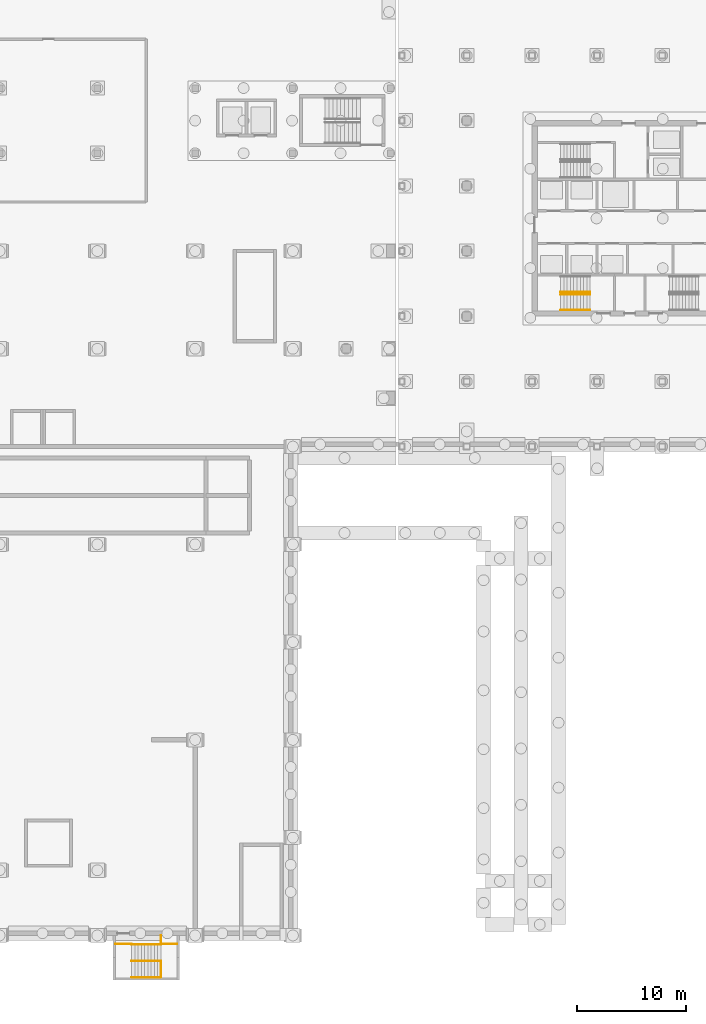
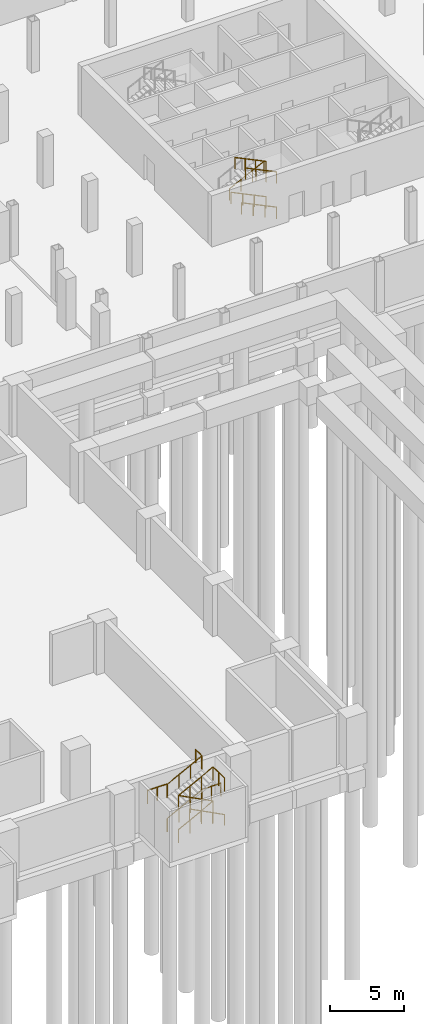
# One storey, part 27 of 29: 15 railings.
"""IFC4 building model written with IfcOpenShell, lengths in metres."""

from ifc_helpers import new_model, si_unit, direction, frame, origin, origin_2d, place, context, subcontext, project, spatial, circle, extrude, material, type_object, element, save


model = new_model("IFC4")

# Units and contexts
model_context = context("Model", 3, precision=1e-05, world=origin(), true_north=direction((0.0, 1.0)))
body_context = subcontext(model_context, "Body", "Model", "MODEL_VIEW")
ifc_project = project(units=[si_unit("LENGTHUNIT", "METRE"), si_unit("AREAUNIT", "SQUARE_METRE"), si_unit("VOLUMEUNIT", "CUBIC_METRE"), si_unit("PLANEANGLEUNIT", "RADIAN"), si_unit("MASSUNIT", "GRAM", prefix="KILO")], contexts=[model_context])

# Site, building, storey
site_placement = place(None, origin())
site = spatial("IfcSite", under=ifc_project, at=site_placement, CompositionType="ELEMENT")
building_placement = place(site_placement, origin())
building = spatial("IfcBuilding", under=site, at=building_placement, Name="Aravalli Gate Trade Fair Centre", CompositionType="ELEMENT")
storey_placement = place(building_placement, frame((0.0, 0.0, -8.39990234375)))
storey = spatial("IfcBuildingStorey", under=building, at=storey_placement, Name="B2", CompositionType="ELEMENT", Elevation=-8.39990234375)

# Railings
ifc_material = material(Name="Steel E350", Category="steel")
railing_type_1 = type_object("IfcRailingType", Name="Basement stair guard 1100", PredefinedType="GUARDRAIL", material=ifc_material)
railing_1_placement = place(storey_placement, frame((135.14990234375, 43.64990234375, 0.0)))
element("IfcRailing", 1, at=railing_1_placement, inside=storey, type_object=railing_type_1, Name="Basement stair S7 guard A B2", PredefinedType="GUARDRAIL", context=body_context, shape_type="SweptSolid", body=[
    extrude(circle(Radius=0.02392578125, at=origin_2d()), frame((0.0, 0.0, 1.076171875), z_axis=(0.887781257544, 0.0, 0.460265617609), x_axis=(0.0, 1.0, 0.0)), (0.0, 0.0, 1.0), 3.04150390625),
    extrude(circle(Radius=0.02099609375, at=origin_2d()), origin(), (0.0, 0.0, 1.0), 1.052001953125),
    extrude(circle(Radius=0.02099609375, at=origin_2d()), frame((0.900146484375, 0.0, 0.466552734375)), (0.0, 0.0, 1.0), 1.052001953125),
    extrude(circle(Radius=0.02099609375, at=origin_2d()), frame((1.800048828125, 0.0, 0.933349609375)), (0.0, 0.0, 1.0), 1.052001953125),
    extrude(circle(Radius=0.02099609375, at=origin_2d()), frame((2.7001953125, 0.0, 1.39990234375)), (0.0, 0.0, 1.0), 1.052001953125),
])
railing_2_placement = place(storey_placement, frame((137.85009765625, 43.64990234375, 1.39990234375)))
element("IfcRailing", 2, at=railing_2_placement, inside=storey, type_object=railing_type_1, Name="Basement stair S7 guard B B2", PredefinedType="GUARDRAIL", context=body_context, shape_type="SweptSolid", body=[
    extrude(circle(Radius=0.02392578125, at=origin_2d()), frame((0.0, 0.0, 1.076171875), z_axis=(-0.887781257544, 0.0, 0.460265617609), x_axis=(0.0, -1.0, 0.0)), (0.0, 0.0, 1.0), 3.04150390625),
    extrude(circle(Radius=0.02099609375, at=origin_2d()), origin(), (0.0, 0.0, 1.0), 1.052001953125),
    extrude(circle(Radius=0.02099609375, at=origin_2d()), frame((-0.900146484375, 0.0, 0.466552734375)), (0.0, 0.0, 1.0), 1.052001953125),
    extrude(circle(Radius=0.02099609375, at=origin_2d()), frame((-1.800048828125, 0.0, 0.933349609375)), (0.0, 0.0, 1.0), 1.052001953125),
    extrude(circle(Radius=0.02099609375, at=origin_2d()), frame((-2.7001953125, 0.0, 1.39990234375)), (0.0, 0.0, 1.0), 1.052001953125),
])
railing_3_placement = place(storey_placement, frame((135.14990234375, 43.64990234375, 2.7998046875)))
element("IfcRailing", 3, at=railing_3_placement, inside=storey, type_object=railing_type_1, Name="Basement stair S7 guard C B2", PredefinedType="GUARDRAIL", context=body_context, shape_type="SweptSolid", body=[
    extrude(circle(Radius=0.02392578125, at=origin_2d()), frame((0.0, 0.0, 1.076171875), z_axis=(0.887748457143, 0.0, 0.460328878998), x_axis=(0.0, 1.0, 0.0)), (0.0, 0.0, 1.0), 3.04150390625),
    extrude(circle(Radius=0.02099609375, at=origin_2d()), origin(), (0.0, 0.0, 1.0), 1.052001953125),
    extrude(circle(Radius=0.02099609375, at=origin_2d()), frame((0.900146484375, 0.0, 0.466796875)), (0.0, 0.0, 1.0), 1.052001953125),
    extrude(circle(Radius=0.02099609375, at=origin_2d()), frame((1.800048828125, 0.0, 0.933349609375)), (0.0, 0.0, 1.0), 1.052001953125),
    extrude(circle(Radius=0.02099609375, at=origin_2d()), frame((2.7001953125, 0.0, 1.400146484375)), (0.0, 0.0, 1.0), 1.052001953125),
])
railing_4_placement = place(storey_placement, frame((135.14990234375, 45.14990234375, 0.0)))
element("IfcRailing", 4, at=railing_4_placement, inside=storey, type_object=railing_type_1, Name="Basement stair S7 guard A B2", PredefinedType="GUARDRAIL", context=body_context, shape_type="SweptSolid", body=[
    extrude(circle(Radius=0.02392578125, at=origin_2d()), frame((0.0, 0.0, 1.076171875), z_axis=(0.887781257544, 0.0, 0.460265617609), x_axis=(0.0, 1.0, 0.0)), (0.0, 0.0, 1.0), 3.04150390625),
    extrude(circle(Radius=0.02099609375, at=origin_2d()), origin(), (0.0, 0.0, 1.0), 1.052001953125),
    extrude(circle(Radius=0.02099609375, at=origin_2d()), frame((0.900146484375, 0.0, 0.466552734375)), (0.0, 0.0, 1.0), 1.052001953125),
    extrude(circle(Radius=0.02099609375, at=origin_2d()), frame((1.800048828125, 0.0, 0.933349609375)), (0.0, 0.0, 1.0), 1.052001953125),
    extrude(circle(Radius=0.02099609375, at=origin_2d()), frame((2.7001953125, 0.0, 1.39990234375)), (0.0, 0.0, 1.0), 1.052001953125),
])
railing_5_placement = place(storey_placement, frame((135.14990234375, 45.14990234375, 2.7998046875)))
element("IfcRailing", 5, at=railing_5_placement, inside=storey, type_object=railing_type_1, Name="Basement stair S7 guard C B2", PredefinedType="GUARDRAIL", context=body_context, shape_type="SweptSolid", body=[
    extrude(circle(Radius=0.02392578125, at=origin_2d()), frame((0.0, 0.0, 1.076171875), z_axis=(0.887748457143, 0.0, 0.460328878998), x_axis=(0.0, 1.0, 0.0)), (0.0, 0.0, 1.0), 3.04150390625),
    extrude(circle(Radius=0.02099609375, at=origin_2d()), origin(), (0.0, 0.0, 1.0), 1.052001953125),
    extrude(circle(Radius=0.02099609375, at=origin_2d()), frame((0.900146484375, 0.0, 0.466796875)), (0.0, 0.0, 1.0), 1.052001953125),
    extrude(circle(Radius=0.02099609375, at=origin_2d()), frame((1.800048828125, 0.0, 0.933349609375)), (0.0, 0.0, 1.0), 1.052001953125),
    extrude(circle(Radius=0.02099609375, at=origin_2d()), frame((2.7001953125, 0.0, 1.400146484375)), (0.0, 0.0, 1.0), 1.052001953125),
])
for number, where, name in (
    (6, (137.85009765625, 45.199951171875, 1.39990234375), "Basement stair S7 landing edge guard 1 B2"),
    (7, (133.64990234375, 45.199951171875, 2.7998046875), "Basement stair S7 landing edge guard 2 B2"),
):
    element("IfcRailing", number, at=place(storey_placement, frame(where)), inside=storey, type_object=railing_type_1, Name=name, PredefinedType="GUARDRAIL", context=body_context, shape_type="SweptSolid", body=[
        extrude(circle(Radius=0.02392578125, at=origin_2d()), frame((0.0, 0.0, 1.076171875), z_axis=(1.0, 0.0, 0.0), x_axis=(0.0, 1.0, 0.0)), (0.0, 0.0, 1.0), 1.5),
        extrude(circle(Radius=0.02099609375, at=origin_2d()), origin(), (0.0, 0.0, 1.0), 1.052001953125),
        extrude(circle(Radius=0.02099609375, at=origin_2d()), frame((0.75, 0.0, 0.0)), (0.0, 0.0, 1.0), 1.052001953125),
        extrude(circle(Radius=0.02099609375, at=origin_2d()), frame((1.5, 0.0, 0.0)), (0.0, 0.0, 1.0), 1.052001953125),
    ])
railing_6_placement = place(storey_placement, frame((137.85009765625, 46.0, 4.199951171875)))
element("IfcRailing", 8, at=railing_6_placement, inside=storey, type_object=railing_type_1, Name="Basement stair S7 strip guard B2", PredefinedType="GUARDRAIL", context=body_context, shape_type="SweptSolid", body=[
    extrude(circle(Radius=0.02392578125, at=origin_2d()), frame((0.0, 0.0, 1.076171875), z_axis=(0.0, -1.0, 0.0), x_axis=(1.0, 0.0, 0.0)), (0.0, 0.0, 1.0), 0.800048828125),
    extrude(circle(Radius=0.02099609375, at=origin_2d()), origin(), (0.0, 0.0, 1.0), 1.052001953125),
    extrude(circle(Radius=0.02099609375, at=origin_2d()), frame((0.0, -0.800048828125, 0.0)), (0.0, 0.0, 1.0), 1.052001953125),
])
railing_7_placement = place(storey_placement, frame((137.85009765625, 43.64990234375, 4.199951171875)))
element("IfcRailing", 9, at=railing_7_placement, inside=storey, type_object=railing_type_1, Name="Basement stair S7 well guard B2", PredefinedType="GUARDRAIL", context=body_context, shape_type="SweptSolid", body=[
    extrude(circle(Radius=0.02392578125, at=origin_2d()), frame((0.0, 0.0, 1.076171875), z_axis=(0.0, -1.0, 0.0), x_axis=(1.0, 0.0, 0.0)), (0.0, 0.0, 1.0), 1.5),
    extrude(circle(Radius=0.02099609375, at=origin_2d()), origin(), (0.0, 0.0, 1.0), 1.052001953125),
    extrude(circle(Radius=0.02099609375, at=origin_2d()), frame((0.0, -0.75, 0.0)), (0.0, 0.0, 1.0), 1.052001953125),
    extrude(circle(Radius=0.02099609375, at=origin_2d()), frame((0.0, -1.5, 0.0)), (0.0, 0.0, 1.0), 1.052001953125),
])
railing_type_2 = type_object("IfcRailingType", Name="Basement stair handrail 900", PredefinedType="HANDRAIL", material=ifc_material)
railing_8_placement = place(storey_placement, frame((137.85009765625, 42.14990234375, 1.39990234375)))
element("IfcRailing", 10, at=railing_8_placement, inside=storey, type_object=railing_type_2, Name="Basement stair S7 handrail B B2", PredefinedType="HANDRAIL", context=body_context, shape_type="SweptSolid", body=[
    extrude(circle(Radius=0.02392578125, at=origin_2d()), frame((0.0, 0.0, 0.8759765625), z_axis=(-0.887781257544, 0.0, 0.460265617609), x_axis=(0.0, -1.0, 0.0)), (0.0, 0.0, 1.0), 3.04150390625),
    extrude(circle(Radius=0.02099609375, at=origin_2d()), origin(), (0.0, 0.0, 1.0), 0.851806640625),
    extrude(circle(Radius=0.02099609375, at=origin_2d()), frame((-0.900146484375, 0.0, 0.466552734375)), (0.0, 0.0, 1.0), 0.851806640625),
    extrude(circle(Radius=0.02099609375, at=origin_2d()), frame((-1.800048828125, 0.0, 0.933349609375)), (0.0, 0.0, 1.0), 0.851806640625),
    extrude(circle(Radius=0.02099609375, at=origin_2d()), frame((-2.7001953125, 0.0, 1.39990234375)), (0.0, 0.0, 1.0), 0.851806640625),
])
railing_type_3 = type_object("IfcRailingType", Name="Wing stair handrail", PredefinedType="HANDRAIL", material=ifc_material)
for number, where, name in (
    (11, (177.35009765625, 103.56005859375, 0.144775390625), "Handrail S2 B2 1a"),
    (12, (177.35009765625, 104.97998046875, 0.144775390625), "Handrail S2 B2 1b"),
):
    element("IfcRailing", number, at=place(storey_placement, frame(where)), inside=storey, type_object=railing_type_3, Name=name, PredefinedType="HANDRAIL", context=body_context, shape_type="SweptSolid", body=[
        extrude(circle(Radius=0.02392578125, at=origin_2d()), frame((0.0, 0.0, 0.92578125), z_axis=(-0.900561529634, 0.0, 0.434728572036), x_axis=(0.0, -1.0, 0.0)), (0.0, 0.0, 1.0), 2.998291015625),
        extrude(circle(Radius=0.02099609375, at=origin_2d()), origin(), (0.0, 0.0, 1.0), 0.90185546875),
        extrude(circle(Radius=0.02099609375, at=origin_2d()), frame((-0.900146484375, 0.0, 0.4345703125)), (0.0, 0.0, 1.0), 0.90185546875),
        extrude(circle(Radius=0.02099609375, at=origin_2d()), frame((-1.800048828125, 0.0, 0.868896484375)), (0.0, 0.0, 1.0), 0.90185546875),
        extrude(circle(Radius=0.02099609375, at=origin_2d()), frame((-2.7001953125, 0.0, 1.303466796875)), (0.0, 0.0, 1.0), 0.90185546875),
    ])
railing_9_placement = place(storey_placement, frame((174.64990234375, 105.219970703125, 1.593017578125)))
element("IfcRailing", 13, at=railing_9_placement, inside=storey, type_object=railing_type_3, Name="Handrail S2 B2 2a", PredefinedType="HANDRAIL", context=body_context, shape_type="SweptSolid", body=[
    extrude(circle(Radius=0.02392578125, at=origin_2d()), frame((0.0, 0.0, 0.92578125), z_axis=(0.900561529634, 0.0, 0.434728572036), x_axis=(0.0, 1.0, 0.0)), (0.0, 0.0, 1.0), 2.998291015625),
    extrude(circle(Radius=0.02099609375, at=origin_2d()), origin(), (0.0, 0.0, 1.0), 0.90185546875),
    extrude(circle(Radius=0.02099609375, at=origin_2d()), frame((0.900146484375, 0.0, 0.4345703125)), (0.0, 0.0, 1.0), 0.90185546875),
    extrude(circle(Radius=0.02099609375, at=origin_2d()), frame((1.800048828125, 0.0, 0.868896484375)), (0.0, 0.0, 1.0), 0.90185546875),
    extrude(circle(Radius=0.02099609375, at=origin_2d()), frame((2.7001953125, 0.0, 1.303466796875)), (0.0, 0.0, 1.0), 0.90185546875),
])
for number, where, name in (
    (14, (177.35009765625, 103.56005859375, 3.041259765625), "Handrail S2 B2 3a"),
    (15, (177.35009765625, 104.97998046875, 3.041259765625), "Handrail S2 B2 3b"),
):
    element("IfcRailing", number, at=place(storey_placement, frame(where)), inside=storey, type_object=railing_type_3, Name=name, PredefinedType="HANDRAIL", context=body_context, shape_type="SweptSolid", body=[
        extrude(circle(Radius=0.02392578125, at=origin_2d()), frame((0.0, 0.0, 0.92578125), z_axis=(-0.900551636365, 0.0, 0.434749065831), x_axis=(0.0, -1.0, 0.0)), (0.0, 0.0, 1.0), 2.665283203125),
        extrude(circle(Radius=0.02099609375, at=origin_2d()), origin(), (0.0, 0.0, 1.0), 0.90185546875),
        extrude(circle(Radius=0.02099609375, at=origin_2d()), frame((-0.800048828125, 0.0, 0.38623046875)), (0.0, 0.0, 1.0), 0.90185546875),
        extrude(circle(Radius=0.02099609375, at=origin_2d()), frame((-1.60009765625, 0.0, 0.7724609375)), (0.0, 0.0, 1.0), 0.90185546875),
        extrude(circle(Radius=0.02099609375, at=origin_2d()), frame((-2.400146484375, 0.0, 1.15869140625)), (0.0, 0.0, 1.0), 0.90185546875),
    ])

save(model, "model.ifc")
